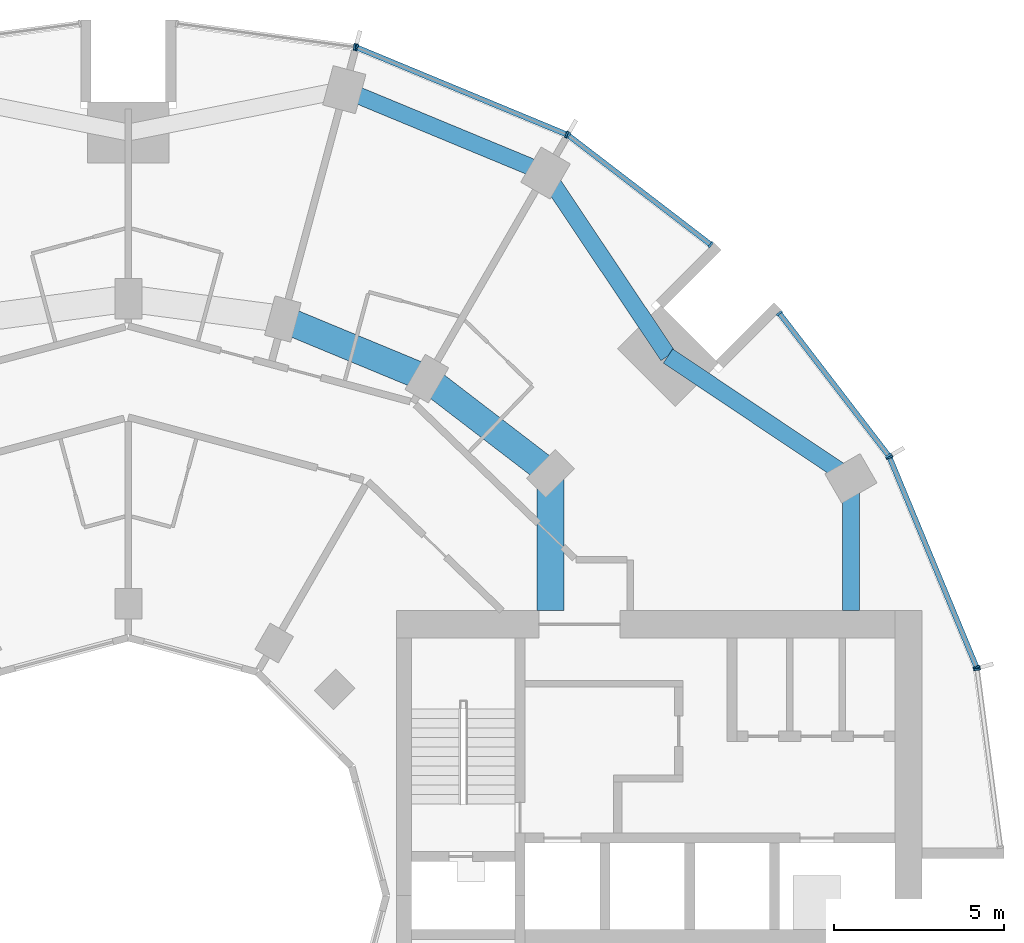
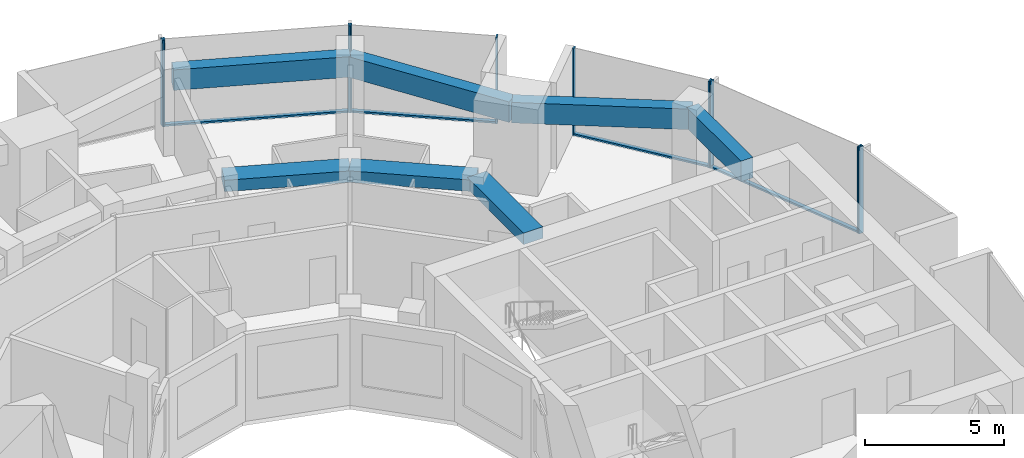
# One storey, part 6 of 15: 14 members, 7 beams, 6 elements without a shape of their own.
"""IFC4 building model written with IfcOpenShell, lengths in metres."""

from ifc_helpers import new_model, si_unit, direction, frame, origin, origin_2d, place, context, subcontext, project, spatial, rectangle, extrude, material, layer, layer_set, material_profile, profile_set, type_object, element, aggregate, save


model = new_model("IFC4")

# Units and contexts
model_context = context("Model", 3, precision=1e-05, world=origin(), true_north=direction((0.0, 1.0)))
body_context = subcontext(model_context, "Body", "Model", "MODEL_VIEW")
ifc_project = project(units=[si_unit("LENGTHUNIT", "METRE"), si_unit("AREAUNIT", "SQUARE_METRE"), si_unit("VOLUMEUNIT", "CUBIC_METRE"), si_unit("PLANEANGLEUNIT", "RADIAN"), si_unit("MASSUNIT", "GRAM", prefix="KILO")], contexts=[model_context])

# Site, building, storey
site_placement = place(None, origin())
site = spatial("IfcSite", under=ifc_project, at=site_placement, CompositionType="ELEMENT")
building_placement = place(site_placement, origin())
building = spatial("IfcBuilding", under=site, at=building_placement, Name="Torre Brocal", CompositionType="ELEMENT")
storey_placement = place(building_placement, frame((0.0, 0.0, 59.199951171875)))
storey = spatial("IfcBuildingStorey", under=building, at=storey_placement, Name="L13", CompositionType="ELEMENT", Elevation=59.199951171875)

# Curtain wall, members
ifc_material_1 = material(Name="Aluminium and glass", Category="aluminium")
ifc_layer_1 = layer(ifc_material_1, 0.199951171875)
ifc_layer_set_1 = layer_set([ifc_layer_1], Name="Aluminium and glass")
curtain_wall_type_1 = type_object("IfcCurtainWallType", Name="CW-1 CURTAIN WALL 3800 HIGH", PredefinedType="NOTDEFINED", material=ifc_layer_set_1)
curtain_wall_1_placement = place(storey_placement, origin())
curtain_wall_1 = element("IfcCurtainWall", 1, at=curtain_wall_1_placement, inside=storey, type_object=curtain_wall_type_1, Name="CW-1 RUN 2", PredefinedType="NOTDEFINED")
ifc_material_2 = material(Name="Aluminium, dark anodised", Category="aluminium")
ifc_material_profile_1 = material_profile(ifc_material_2, rectangle(XDim=0.199951171875, YDim=0.06005859375, at=origin_2d()), Name="CW-1 MULLION 60X200")
ifc_profile_set_1 = profile_set([ifc_material_profile_1], Name="Aluminium, dark anodised")
member_type_1 = type_object("IfcMemberType", Name="CW-1 MULLION 60X200", PredefinedType="MULLION", material=ifc_profile_set_1)
member_1_placement = place(storey_placement, frame((105.005126953125, 81.73095703125, 0.0), z_axis=(0.0, 0.0, 1.0), x_axis=(-0.923879532525, -0.382683432333, 0.0)))
member_1 = element("IfcMember", 2, at=member_1_placement, type_object=member_type_1, Name="CW1-1 mullion 1", PredefinedType="MULLION", context=body_context, shape_type="SweptSolid", body=[
    extrude(rectangle(XDim=0.199951171875, YDim=0.06005859375, at=origin_2d()), origin(), (0.0, 0.0, 1.0), 3.800048828125),
])
member_2_placement = place(storey_placement, frame((102.440673828125, 87.921875, 0.0), z_axis=(0.0, 0.0, 1.0), x_axis=(-0.923879532525, -0.382683432333, 0.0)))
member_2 = element("IfcMember", 3, at=member_2_placement, type_object=member_type_1, Name="CW1-1 mullion 2", PredefinedType="MULLION", context=body_context, shape_type="SweptSolid", body=[
    extrude(rectangle(XDim=0.199951171875, YDim=0.06005859375, at=origin_2d()), origin(), (0.0, 0.0, 1.0), 3.800048828125),
])

curtain_wall_2_placement = place(storey_placement, origin())
curtain_wall_2 = element("IfcCurtainWall", 4, at=curtain_wall_2_placement, inside=storey, type_object=curtain_wall_type_1, Name="CW-1 RUN 3", PredefinedType="NOTDEFINED")
member_3_placement = place(storey_placement, frame((102.4111328125, 87.973388671875, 0.0), z_axis=(0.0, 0.0, 1.0), x_axis=(-0.793353340259, -0.60876142905, 0.0)))
member_3 = element("IfcMember", 5, at=member_3_placement, type_object=member_type_1, Name="CW1-1 mullion 1", PredefinedType="MULLION", context=body_context, shape_type="SweptSolid", body=[
    extrude(rectangle(XDim=0.199951171875, YDim=0.06005859375, at=origin_2d()), origin(), (0.0, 0.0, 1.0), 3.800048828125),
])
member_4_placement = place(storey_placement, frame((99.19140625, 92.16943359375, 0.0), z_axis=(0.0, 0.0, 1.0), x_axis=(-0.793353340259, -0.60876142905, 0.0)))
member_4 = element("IfcMember", 6, at=member_4_placement, type_object=member_type_1, Name="CW1-1 mullion 2", PredefinedType="MULLION", context=body_context, shape_type="SweptSolid", body=[
    extrude(rectangle(XDim=0.199951171875, YDim=0.06005859375, at=origin_2d()), origin(), (0.0, 0.0, 1.0), 3.800048828125),
])

curtain_wall_3_placement = place(storey_placement, origin())
curtain_wall_3 = element("IfcCurtainWall", 7, at=curtain_wall_3_placement, inside=storey, type_object=curtain_wall_type_1, Name="CW-1 RUN 4", PredefinedType="NOTDEFINED")
member_5_placement = place(storey_placement, frame((97.16943359375, 94.19140625, 0.0), z_axis=(0.0, 0.0, 1.0), x_axis=(-0.60876142905, -0.793353340259, 0.0)))
member_5 = element("IfcMember", 8, at=member_5_placement, type_object=member_type_1, Name="CW1-1 mullion 1", PredefinedType="MULLION", context=body_context, shape_type="SweptSolid", body=[
    extrude(rectangle(XDim=0.199951171875, YDim=0.06005859375, at=origin_2d()), origin(), (0.0, 0.0, 1.0), 3.800048828125),
])
member_6_placement = place(storey_placement, frame((92.973388671875, 97.4111328125, 0.0), z_axis=(0.0, 0.0, 1.0), x_axis=(-0.60876142905, -0.793353340259, 0.0)))
member_6 = element("IfcMember", 9, at=member_6_placement, type_object=member_type_1, Name="CW1-1 mullion 2", PredefinedType="MULLION", context=body_context, shape_type="SweptSolid", body=[
    extrude(rectangle(XDim=0.199951171875, YDim=0.06005859375, at=origin_2d()), origin(), (0.0, 0.0, 1.0), 3.800048828125),
])

curtain_wall_4_placement = place(storey_placement, origin())
curtain_wall_4 = element("IfcCurtainWall", 10, at=curtain_wall_4_placement, inside=storey, type_object=curtain_wall_type_1, Name="CW-1 RUN 5", PredefinedType="NOTDEFINED")
member_7_placement = place(storey_placement, frame((92.921875, 97.440673828125, 0.0), z_axis=(0.0, 0.0, 1.0), x_axis=(-0.382683432333, -0.923879532525, 0.0)))
member_7 = element("IfcMember", 11, at=member_7_placement, type_object=member_type_1, Name="CW1-1 mullion 1", PredefinedType="MULLION", context=body_context, shape_type="SweptSolid", body=[
    extrude(rectangle(XDim=0.199951171875, YDim=0.06005859375, at=origin_2d()), origin(), (0.0, 0.0, 1.0), 3.800048828125),
])
member_8_placement = place(storey_placement, frame((86.73095703125, 100.005126953125, 0.0), z_axis=(0.0, 0.0, 1.0), x_axis=(-0.382683432333, -0.923879532525, 0.0)))
member_8 = element("IfcMember", 12, at=member_8_placement, type_object=member_type_1, Name="CW1-1 mullion 2", PredefinedType="MULLION", context=body_context, shape_type="SweptSolid", body=[
    extrude(rectangle(XDim=0.199951171875, YDim=0.06005859375, at=origin_2d()), origin(), (0.0, 0.0, 1.0), 3.800048828125),
])

# Curtain wall, member
curtain_wall_5_placement = place(storey_placement, origin())
curtain_wall_5 = element("IfcCurtainWall", 13, at=curtain_wall_5_placement, inside=storey, type_object=curtain_wall_type_1, Name="CW-1 RUN 6", PredefinedType="NOTDEFINED")
member_9_placement = place(storey_placement, frame((86.67333984375, 100.0205078125, 0.0), z_axis=(0.0, 0.0, 1.0), x_axis=(-0.13052619222, -0.991444861374, 0.0)))
member_9 = element("IfcMember", 14, at=member_9_placement, type_object=member_type_1, Name="CW1-1 mullion 1", PredefinedType="MULLION", context=body_context, shape_type="SweptSolid", body=[
    extrude(rectangle(XDim=0.199951171875, YDim=0.06005859375, at=origin_2d()), origin(), (0.0, 0.0, 1.0), 3.800048828125),
])
aggregate(curtain_wall_5, [member_9])

# Member
ifc_material_3 = material(Name="Aluminium, dark anodised", Category="aluminium")
ifc_material_profile_2 = material_profile(ifc_material_3, rectangle(XDim=0.159912109375, YDim=0.080078125, at=origin_2d()), Name="CW-1 TRANSOM 160X80")
ifc_profile_set_2 = profile_set([ifc_material_profile_2], Name="Aluminium, dark anodised")
member_type_2 = type_object("IfcMemberType", Name="CW-1 TRANSOM 160X80", PredefinedType="USERDEFINED", material=ifc_profile_set_2)
member_10_placement = place(storey_placement, frame((104.99365234375, 81.758544921875, 0.0400390625), z_axis=(-0.38266457234, 0.923887344364, 0.0), x_axis=(-0.923887344364, -0.38266457234, 0.0)))
member_10 = element("IfcMember", 15, at=member_10_placement, type_object=member_type_2, Name="CW1-1 transom 1.1", ObjectType="TRANSOM", PredefinedType="USERDEFINED", context=body_context, shape_type="SweptSolid", body=[
    extrude(rectangle(XDim=0.159912109375, YDim=0.080078125, at=origin_2d()), origin(), (0.0, 0.0, 1.0), 6.640869140625),
])

aggregate(curtain_wall_1, [member_1, member_2, member_10])

member_11_placement = place(storey_placement, frame((102.392822265625, 87.9970703125, 0.0400390625), z_axis=(-0.60874908096, 0.79336281513, 0.0), x_axis=(-0.79336281513, -0.60874908096, 0.0)))
member_11 = element("IfcMember", 16, at=member_11_placement, type_object=member_type_2, Name="CW1-1 transom 1.1", ObjectType="TRANSOM", PredefinedType="USERDEFINED", context=body_context, shape_type="SweptSolid", body=[
    extrude(rectangle(XDim=0.159912109375, YDim=0.080078125, at=origin_2d()), origin(), (0.0, 0.0, 1.0), 5.22900390625),
])

aggregate(curtain_wall_2, [member_3, member_4, member_11])

member_12_placement = place(storey_placement, frame((97.1455078125, 94.209716796875, 0.0400390625), z_axis=(-0.79336281513, 0.60874908096, 0.0), x_axis=(-0.60874908096, -0.79336281513, 0.0)))
member_12 = element("IfcMember", 17, at=member_12_placement, type_object=member_type_2, Name="CW1-1 transom 1.1", ObjectType="TRANSOM", PredefinedType="USERDEFINED", context=body_context, shape_type="SweptSolid", body=[
    extrude(rectangle(XDim=0.159912109375, YDim=0.080078125, at=origin_2d()), origin(), (0.0, 0.0, 1.0), 5.22900390625),
])

aggregate(curtain_wall_3, [member_5, member_6, member_12])

member_13_placement = place(storey_placement, frame((92.89404296875, 97.452392578125, 0.0400390625), z_axis=(-0.923887344364, 0.38266457234, 0.0), x_axis=(-0.38266457234, -0.923887344364, 0.0)))
member_13 = element("IfcMember", 18, at=member_13_placement, type_object=member_type_2, Name="CW1-1 transom 1.1", ObjectType="TRANSOM", PredefinedType="USERDEFINED", context=body_context, shape_type="SweptSolid", body=[
    extrude(rectangle(XDim=0.159912109375, YDim=0.080078125, at=origin_2d()), origin(), (0.0, 0.0, 1.0), 6.640869140625),
])

aggregate(curtain_wall_4, [member_7, member_8, member_13])

# Curtain wall, member
ifc_material_4 = material(Name="Aluminium and glass", Category="aluminium")
ifc_layer_2 = layer(ifc_material_4, 0.199951171875)
ifc_layer_set_2 = layer_set([ifc_layer_2], Name="Aluminium and glass")
curtain_wall_type_2 = type_object("IfcCurtainWallType", Name="CW-1B CURTAIN WALL 3800 HIGH", PredefinedType="NOTDEFINED", material=ifc_layer_set_2)
curtain_wall_6_placement = place(storey_placement, origin())
curtain_wall_6 = element("IfcCurtainWall", 19, at=curtain_wall_6_placement, inside=storey, type_object=curtain_wall_type_2, Name="CW-1B RUN 1", PredefinedType="NOTDEFINED")
ifc_material_5 = material(Name="Aluminium, dark anodised", Category="aluminium")
ifc_material_profile_3 = material_profile(ifc_material_5, rectangle(XDim=0.199951171875, YDim=0.06005859375, at=origin_2d()), Name="CW-1B MULLION 60X200")
ifc_profile_set_3 = profile_set([ifc_material_profile_3], Name="Aluminium, dark anodised")
member_type_3 = type_object("IfcMemberType", Name="CW-1B MULLION 60X200", PredefinedType="MULLION", material=ifc_profile_set_3)
member_14_placement = place(storey_placement, frame((105.0205078125, 81.67333984375, 0.0), z_axis=(0.0, 0.0, 1.0), x_axis=(-0.991444861374, -0.13052619222, 0.0)))
member_14 = element("IfcMember", 20, at=member_14_placement, type_object=member_type_3, Name="CW1B-1 mullion 2", PredefinedType="MULLION", context=body_context, shape_type="SweptSolid", body=[
    extrude(rectangle(XDim=0.199951171875, YDim=0.06005859375, at=origin_2d()), origin(), (0.0, 0.0, 1.0), 3.800048828125),
])
aggregate(curtain_wall_6, [member_14])

# Beams
ifc_material_6 = material(Name="Concrete C50", Category="concrete")
ifc_material_profile_4 = material_profile(ifc_material_6, rectangle(XDim=0.800048828125, YDim=0.5, at=origin_2d()), Name="RC 800X500")
ifc_profile_set_4 = profile_set([ifc_material_profile_4], Name="Concrete C50")
beam_type_1 = type_object("IfcBeamType", Name="RC BEAM 800X500 C50 TOP 3480", PredefinedType="BEAM", material=ifc_profile_set_4)
beam_1_placement = place(storey_placement, frame((92.445068359375, 87.445068359375, 3.22998046875), z_axis=(-0.793358265959, 0.6087550097, 0.0), x_axis=(-0.6087550097, -0.793358265959, 0.0)))
element("IfcBeam", 21, at=beam_1_placement, inside=storey, type_object=beam_type_1, Name="Beam BT-19", PredefinedType="BEAM", context=body_context, shape_type="SweptSolid", body=[
    extrude(rectangle(XDim=0.800048828125, YDim=0.5, at=origin_2d()), origin(), (0.0, 0.0, 1.0), 4.594482421875),
])
beam_2_placement = place(storey_placement, frame((88.800048828125, 90.241943359375, 3.22998046875), z_axis=(-0.923878240166, 0.382686552348, 0.0), x_axis=(-0.382686552348, -0.923878240166, 0.0)))
element("IfcBeam", 22, at=beam_2_placement, inside=storey, type_object=beam_type_1, Name="Beam BT-19", PredefinedType="BEAM", context=body_context, shape_type="SweptSolid", body=[
    extrude(rectangle(XDim=0.800048828125, YDim=0.5, at=origin_2d()), origin(), (0.0, 0.0, 1.0), 4.5947265625),
])
beam_3_placement = place(storey_placement, frame((92.445068359375, 87.445068359375, 3.22998046875), z_axis=(0.0, -1.0, 0.0), x_axis=(1.0, 0.0, 0.0)))
element("IfcBeam", 23, at=beam_3_placement, inside=storey, type_object=beam_type_1, Name="Beam BT-19", PredefinedType="BEAM", context=body_context, shape_type="SweptSolid", body=[
    extrude(rectangle(XDim=0.800048828125, YDim=0.5, at=origin_2d()), origin(), (0.0, 0.0, 1.0), 4.045166015625),
])
ifc_material_7 = material(Name="Concrete C50", Category="concrete")
ifc_material_profile_5 = material_profile(ifc_material_7, rectangle(XDim=0.5, YDim=0.89990234375, at=origin_2d()), Name="RC 500X900")
ifc_profile_set_5 = profile_set([ifc_material_profile_5], Name="Concrete C50")
beam_type_2 = type_object("IfcBeamType", Name="RC SPANDREL BEAM 500X900 C50 TOP 3480", PredefinedType="SPANDREL", material=ifc_profile_set_5)
for number, where, z_axis, x_axis, name in (
    (24, (101.30419921875, 87.300048828125, 3.030029296875), (-0.831076844476, 0.556157602282, 0.0), (-0.556157602282, -0.831076844476, 0.0), "Beam BT-20"),
    (25, (95.909912109375, 90.909912109375, 3.030029296875), (-0.556157602282, 0.831076844476, 0.0), (-0.831076844476, -0.556157602282, 0.0), "Beam BT-20"),
):
    element("IfcBeam", number, at=place(storey_placement, frame(where, z_axis=z_axis, x_axis=x_axis)), inside=storey, type_object=beam_type_2, Name=name, PredefinedType="SPANDREL", context=body_context, shape_type="SweptSolid", body=[
        extrude(rectangle(XDim=0.5, YDim=0.89990234375, at=origin_2d()), origin(), (0.0, 0.0, 1.0), 6.49072265625),
    ])
beam_4_placement = place(storey_placement, frame((92.300048828125, 96.30419921875, 3.030029296875), z_axis=(-0.923882462513, 0.382676358639, 0.0), x_axis=(-0.382676358639, -0.923882462513, 0.0)))
element("IfcBeam", 26, at=beam_4_placement, inside=storey, type_object=beam_type_2, Name="Beam BT-20", PredefinedType="SPANDREL", context=body_context, shape_type="SweptSolid", body=[
    extrude(rectangle(XDim=0.5, YDim=0.89990234375, at=origin_2d()), origin(), (0.0, 0.0, 1.0), 6.421875),
])
beam_5_placement = place(storey_placement, frame((101.30419921875, 87.300048828125, 3.030029296875), z_axis=(0.0, -1.0, 0.0), x_axis=(1.0, 0.0, 0.0)))
element("IfcBeam", 27, at=beam_5_placement, inside=storey, type_object=beam_type_2, Name="Beam BT-20", PredefinedType="SPANDREL", context=body_context, shape_type="SweptSolid", body=[
    extrude(rectangle(XDim=0.5, YDim=0.89990234375, at=origin_2d()), origin(), (0.0, 0.0, 1.0), 3.900146484375),
])

save(model, "model.ifc")
